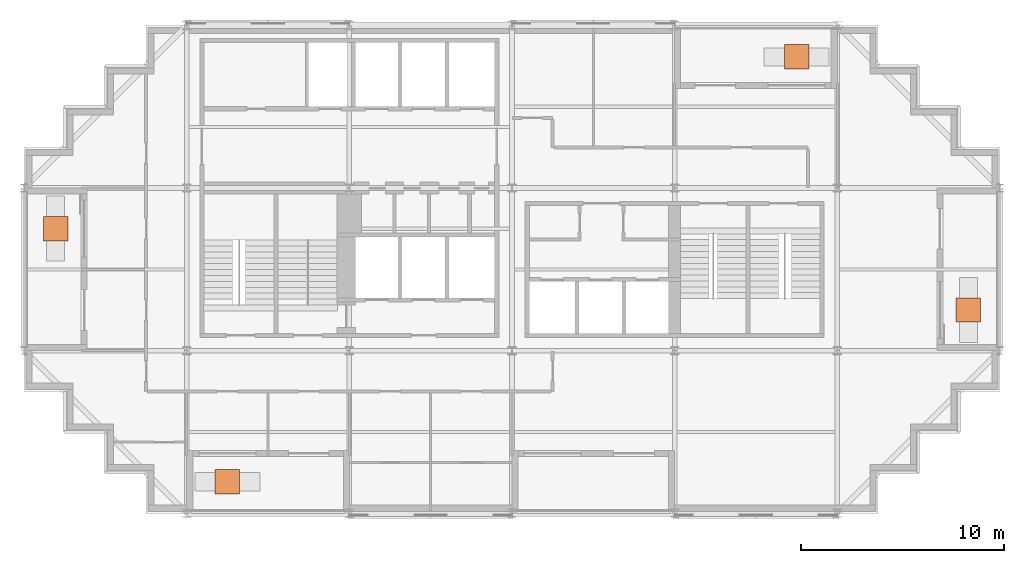
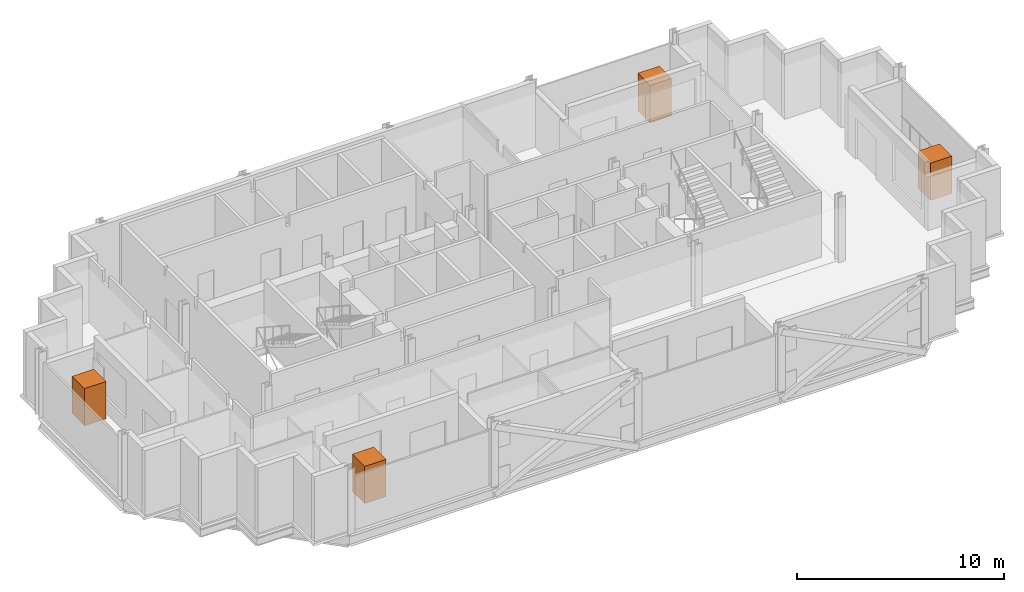
# One storey, part 8 of 8: 4 geographic elements.
"""IFC4 building model written with IfcOpenShell, lengths in metres."""

from ifc_helpers import new_model, si_unit, direction, frame, origin, origin_2d, place, context, subcontext, project, spatial, rectangle, extrude, material, type_object, element, save


model = new_model("IFC4")

# Units and contexts
model_context = context("Model", 3, precision=1e-05, world=origin(), true_north=direction((0.0, 1.0)))
body_context = subcontext(model_context, "Body", "Model", "MODEL_VIEW")
ifc_project = project(units=[si_unit("LENGTHUNIT", "METRE"), si_unit("AREAUNIT", "SQUARE_METRE"), si_unit("VOLUMEUNIT", "CUBIC_METRE"), si_unit("PLANEANGLEUNIT", "RADIAN"), si_unit("MASSUNIT", "GRAM", prefix="KILO")], contexts=[model_context])

# Site, building, storey
site_placement = place(None, origin())
site = spatial("IfcSite", under=ifc_project, at=site_placement, CompositionType="ELEMENT")
building_placement = place(site_placement, origin())
building = spatial("IfcBuilding", under=site, at=building_placement, Name="Immortelle Media Tower", CompositionType="ELEMENT")
storey_placement = place(building_placement, frame((0.0, 0.0, 197.0)))
storey = spatial("IfcBuildingStorey", under=building, at=storey_placement, Name="L41", CompositionType="ELEMENT", Elevation=197.0)

# Geographic elements
ifc_material = material(Name="Tree canopy foliage")
geographic_element_type = type_object("IfcGeographicElementType", Name="Tree", PredefinedType="USERDEFINED", material=ifc_material)
for number, where, z_axis, x_axis, name in (
    (1, (10.0, 1.550048828125, 0.60009765625), (0.0, 0.0, 1.0), (1.0, 0.0, 0.0), "Tree L41 S0"),
    (2, (46.449951171875, 10.0, 0.60009765625), (0.0, 0.0, 1.0), (1.0, 0.0, 0.0), "Tree L41 E0"),
    (3, (38.0, 22.449951171875, 0.60009765625), (0.0, 0.0, 1.0), (1.0, 0.0, 0.0), "Tree L41 N0"),
    (4, (1.550048828125, 14.0, 0.60009765625), (0.0, 0.0, 1.0), (1.0, 0.0, 0.0), "Tree L41 W0"),
):
    element("IfcGeographicElement", number, at=place(storey_placement, frame(where, z_axis=z_axis, x_axis=x_axis)), inside=storey, type_object=geographic_element_type, Name=name, ObjectType="Tree", PredefinedType="USERDEFINED", context=body_context, shape_type="SweptSolid", body=[
        extrude(rectangle(XDim=1.199951171875, YDim=1.199951171875, at=origin_2d()), origin(), (0.0, 0.0, 1.0), 2.199951171875),
    ])

save(model, "model.ifc")
